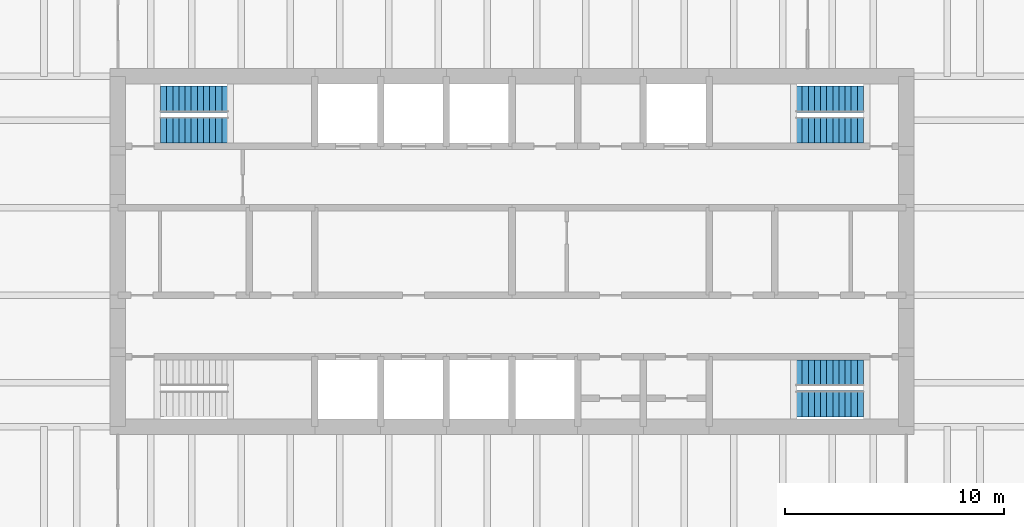
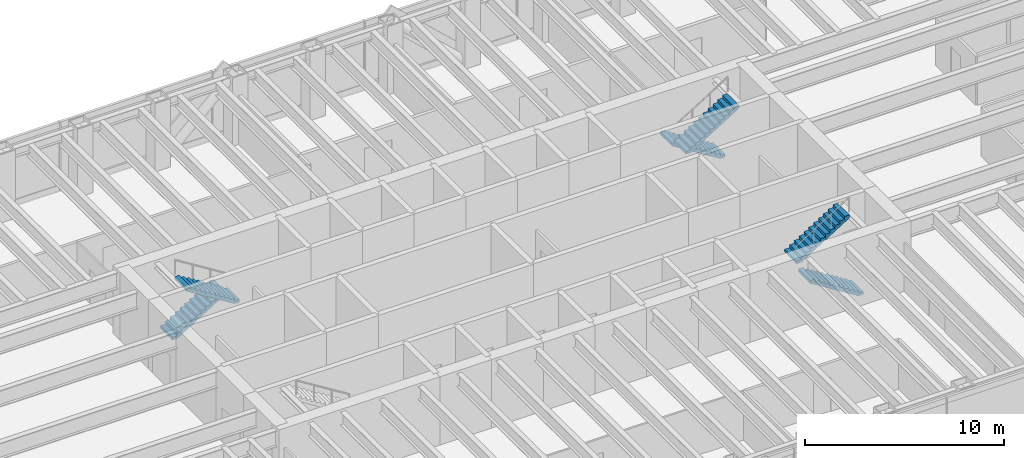
# One storey, part 14 of 15: 6 stair flights, 3 elements without a shape of their own.
"""IFC4 building model written with IfcOpenShell, lengths in metres."""

from ifc_helpers import new_model, si_unit, direction, frame, origin, place, context, subcontext, project, spatial, polyline, outline, extrude, material, type_object, element, aggregate, save


model = new_model("IFC4")

# Units and contexts
model_context = context("Model", 3, precision=1e-05, world=origin(), true_north=direction((0.0, 1.0)))
body_context = subcontext(model_context, "Body", "Model", "MODEL_VIEW")
ifc_project = project(units=[si_unit("LENGTHUNIT", "METRE"), si_unit("AREAUNIT", "SQUARE_METRE"), si_unit("VOLUMEUNIT", "CUBIC_METRE"), si_unit("PLANEANGLEUNIT", "RADIAN"), si_unit("MASSUNIT", "GRAM", prefix="KILO")], contexts=[model_context])

# Site, building, storey
site_placement = place(None, origin())
site = spatial("IfcSite", under=ifc_project, at=site_placement, CompositionType="ELEMENT")
building_placement = place(site_placement, origin())
building = spatial("IfcBuilding", under=site, at=building_placement, Name="Rheinbord Bourse Tower", CompositionType="ELEMENT")
storey_placement = place(building_placement, frame((0.0, 0.0, 296.300048828125)))
storey = spatial("IfcBuildingStorey", under=building, at=storey_placement, Name="L67", CompositionType="ELEMENT", Elevation=296.300048828125)

# Stair, stair flights
ifc_material_1 = material(Name="Concrete C30/37", Category="concrete")
stair_type = type_object("IfcStairType", Name="CORE STAIR HALF TURN 4200", PredefinedType="HALF_TURN_STAIR", material=ifc_material_1)
stair_1_placement = place(storey_placement, origin())
stair_1 = element("IfcStair", 1, at=stair_1_placement, inside=storey, type_object=stair_type, Name="Stair ST2 L67, type CS6", PredefinedType="HALF_TURN_STAIR")
ifc_material_2 = material(Name="Concrete C30/37", Category="concrete")
stair_flight_type = type_object("IfcStairFlightType", Name="CORE STAIR FLIGHT 1200, 12 RISERS", PredefinedType="STRAIGHT", material=ifc_material_2)
stair_flight_1_placement = place(storey_placement, frame((19.949951171875, 30.949951171875, 0.0), z_axis=(0.0, 0.0, 1.0), x_axis=(1.0, 0.0, 0.0)))
stair_flight_1 = element("IfcStairFlight", 2, at=stair_flight_1_placement, type_object=stair_flight_type, Name="STAIR L67 ST2 F1", NumberOfRisers=12, NumberOfTreads=11, PredefinedType="STRAIGHT", RiserHeight=0.175, TreadLength=0.28, context=body_context, shape_type="SweptSolid", body=[
    extrude(outline(polyline([(0.0, 0.0), (0.0, 0.175048828125), (0.280029296875, 0.175048828125), (0.280029296875, 0.35009765625), (0.56005859375, 0.35009765625), (0.56005859375, 0.52490234375), (0.840087890625, 0.52490234375), (0.840087890625, 0.699951171875), (1.1201171875, 0.699951171875), (1.1201171875, 0.875), (1.39990234375, 0.875), (1.39990234375, 1.050048828125), (1.679931640625, 1.050048828125), (1.679931640625, 1.22509765625), (1.9599609375, 1.22509765625), (1.9599609375, 1.39990234375), (2.239990234375, 1.39990234375), (2.239990234375, 1.574951171875), (2.52001953125, 1.574951171875), (2.52001953125, 1.75), (2.800048828125, 1.75), (2.800048828125, 1.925048828125), (3.080078125, 1.925048828125), (3.080078125, 2.10009765625), (3.080078125, 1.748291015625), (0.28271484375, 0.0), (0.0, 0.0)])), frame((0.0, 0.60009765625, 0.0), z_axis=(0.0, -1.0, 0.0), x_axis=(1.0, 0.0, 0.0)), (0.0, 0.0, 1.0), 1.199951171875),
])
stair_flight_2_placement = place(storey_placement, frame((23.030029296875, 29.550048828125, 2.099853515625), z_axis=(0.0, 0.0, 1.0), x_axis=(-1.0, 0.0, 0.0)))
stair_flight_2 = element("IfcStairFlight", 3, at=stair_flight_2_placement, type_object=stair_flight_type, Name="STAIR L67 ST2 F2", NumberOfRisers=12, NumberOfTreads=11, PredefinedType="STRAIGHT", RiserHeight=0.175, TreadLength=0.28, context=body_context, shape_type="SweptSolid", body=[
    extrude(outline(polyline([(0.0, 0.0), (0.0, 0.175048828125), (0.280029296875, 0.175048828125), (0.280029296875, 0.35009765625), (0.56005859375, 0.35009765625), (0.56005859375, 0.52490234375), (0.840087890625, 0.52490234375), (0.840087890625, 0.699951171875), (1.1201171875, 0.699951171875), (1.1201171875, 0.875), (1.39990234375, 0.875), (1.39990234375, 1.050048828125), (1.679931640625, 1.050048828125), (1.679931640625, 1.22509765625), (1.9599609375, 1.22509765625), (1.9599609375, 1.39990234375), (2.239990234375, 1.39990234375), (2.239990234375, 1.574951171875), (2.52001953125, 1.574951171875), (2.52001953125, 1.75), (2.800048828125, 1.75), (2.800048828125, 1.925048828125), (3.080078125, 1.925048828125), (3.080078125, 2.10009765625), (3.080078125, 1.748291015625), (0.28271484375, 0.0), (0.0, 0.0)])), frame((0.0, 0.60009765625, 0.0), z_axis=(0.0, -1.0, 0.0), x_axis=(1.0, 0.0, 0.0)), (0.0, 0.0, 1.0), 1.199951171875),
])
aggregate(stair_1, [stair_flight_1, stair_flight_2])

stair_2_placement = place(storey_placement, origin())
stair_2 = element("IfcStair", 4, at=stair_2_placement, inside=storey, type_object=stair_type, Name="Stair ST3 L67, type CS6", PredefinedType="HALF_TURN_STAIR")
stair_flight_3_placement = place(storey_placement, frame((52.050048828125, 17.050048828125, 0.0), z_axis=(0.0, 0.0, 1.0), x_axis=(-1.0, 0.0, 0.0)))
stair_flight_3 = element("IfcStairFlight", 5, at=stair_flight_3_placement, type_object=stair_flight_type, Name="STAIR L67 ST3 F1", NumberOfRisers=12, NumberOfTreads=11, PredefinedType="STRAIGHT", RiserHeight=0.175, TreadLength=0.28, context=body_context, shape_type="SweptSolid", body=[
    extrude(outline(polyline([(0.0, 0.0), (0.0, 0.175048828125), (0.280029296875, 0.175048828125), (0.280029296875, 0.35009765625), (0.56005859375, 0.35009765625), (0.56005859375, 0.52490234375), (0.840087890625, 0.52490234375), (0.840087890625, 0.699951171875), (1.1201171875, 0.699951171875), (1.1201171875, 0.875), (1.39990234375, 0.875), (1.39990234375, 1.050048828125), (1.679931640625, 1.050048828125), (1.679931640625, 1.22509765625), (1.9599609375, 1.22509765625), (1.9599609375, 1.39990234375), (2.239990234375, 1.39990234375), (2.239990234375, 1.574951171875), (2.52001953125, 1.574951171875), (2.52001953125, 1.75), (2.800048828125, 1.75), (2.800048828125, 1.925048828125), (3.080078125, 1.925048828125), (3.080078125, 2.10009765625), (3.080078125, 1.748291015625), (0.28271484375, 0.0), (0.0, 0.0)])), frame((0.0, 0.60009765625, 0.0), z_axis=(0.0, -1.0, 0.0), x_axis=(1.0, 0.0, 0.0)), (0.0, 0.0, 1.0), 1.199951171875),
])
stair_flight_4_placement = place(storey_placement, frame((48.969970703125, 18.449951171875, 2.099853515625), z_axis=(0.0, 0.0, 1.0), x_axis=(1.0, 0.0, 0.0)))
stair_flight_4 = element("IfcStairFlight", 6, at=stair_flight_4_placement, type_object=stair_flight_type, Name="STAIR L67 ST3 F2", NumberOfRisers=12, NumberOfTreads=11, PredefinedType="STRAIGHT", RiserHeight=0.175, TreadLength=0.28, context=body_context, shape_type="SweptSolid", body=[
    extrude(outline(polyline([(0.0, 0.0), (0.0, 0.175048828125), (0.280029296875, 0.175048828125), (0.280029296875, 0.35009765625), (0.56005859375, 0.35009765625), (0.56005859375, 0.52490234375), (0.840087890625, 0.52490234375), (0.840087890625, 0.699951171875), (1.1201171875, 0.699951171875), (1.1201171875, 0.875), (1.39990234375, 0.875), (1.39990234375, 1.050048828125), (1.679931640625, 1.050048828125), (1.679931640625, 1.22509765625), (1.9599609375, 1.22509765625), (1.9599609375, 1.39990234375), (2.239990234375, 1.39990234375), (2.239990234375, 1.574951171875), (2.52001953125, 1.574951171875), (2.52001953125, 1.75), (2.800048828125, 1.75), (2.800048828125, 1.925048828125), (3.080078125, 1.925048828125), (3.080078125, 2.10009765625), (3.080078125, 1.748291015625), (0.28271484375, 0.0), (0.0, 0.0)])), frame((0.0, 0.60009765625, 0.0), z_axis=(0.0, -1.0, 0.0), x_axis=(1.0, 0.0, 0.0)), (0.0, 0.0, 1.0), 1.199951171875),
])
aggregate(stair_2, [stair_flight_3, stair_flight_4])

stair_3_placement = place(storey_placement, origin())
stair_3 = element("IfcStair", 7, at=stair_3_placement, inside=storey, type_object=stair_type, Name="Stair ST4 L67, type CS6", PredefinedType="HALF_TURN_STAIR")
stair_flight_5_placement = place(storey_placement, frame((52.050048828125, 30.949951171875, 0.0), z_axis=(0.0, 0.0, 1.0), x_axis=(-1.0, 0.0, 0.0)))
stair_flight_5 = element("IfcStairFlight", 8, at=stair_flight_5_placement, type_object=stair_flight_type, Name="STAIR L67 ST4 F1", NumberOfRisers=12, NumberOfTreads=11, PredefinedType="STRAIGHT", RiserHeight=0.175, TreadLength=0.28, context=body_context, shape_type="SweptSolid", body=[
    extrude(outline(polyline([(0.0, 0.0), (0.0, 0.175048828125), (0.280029296875, 0.175048828125), (0.280029296875, 0.35009765625), (0.56005859375, 0.35009765625), (0.56005859375, 0.52490234375), (0.840087890625, 0.52490234375), (0.840087890625, 0.699951171875), (1.1201171875, 0.699951171875), (1.1201171875, 0.875), (1.39990234375, 0.875), (1.39990234375, 1.050048828125), (1.679931640625, 1.050048828125), (1.679931640625, 1.22509765625), (1.9599609375, 1.22509765625), (1.9599609375, 1.39990234375), (2.239990234375, 1.39990234375), (2.239990234375, 1.574951171875), (2.52001953125, 1.574951171875), (2.52001953125, 1.75), (2.800048828125, 1.75), (2.800048828125, 1.925048828125), (3.080078125, 1.925048828125), (3.080078125, 2.10009765625), (3.080078125, 1.748291015625), (0.28271484375, 0.0), (0.0, 0.0)])), frame((0.0, 0.60009765625, 0.0), z_axis=(0.0, -1.0, 0.0), x_axis=(1.0, 0.0, 0.0)), (0.0, 0.0, 1.0), 1.199951171875),
])
stair_flight_6_placement = place(storey_placement, frame((48.969970703125, 29.550048828125, 2.099853515625), z_axis=(0.0, 0.0, 1.0), x_axis=(1.0, 0.0, 0.0)))
stair_flight_6 = element("IfcStairFlight", 9, at=stair_flight_6_placement, type_object=stair_flight_type, Name="STAIR L67 ST4 F2", NumberOfRisers=12, NumberOfTreads=11, PredefinedType="STRAIGHT", RiserHeight=0.175, TreadLength=0.28, context=body_context, shape_type="SweptSolid", body=[
    extrude(outline(polyline([(0.0, 0.0), (0.0, 0.175048828125), (0.280029296875, 0.175048828125), (0.280029296875, 0.35009765625), (0.56005859375, 0.35009765625), (0.56005859375, 0.52490234375), (0.840087890625, 0.52490234375), (0.840087890625, 0.699951171875), (1.1201171875, 0.699951171875), (1.1201171875, 0.875), (1.39990234375, 0.875), (1.39990234375, 1.050048828125), (1.679931640625, 1.050048828125), (1.679931640625, 1.22509765625), (1.9599609375, 1.22509765625), (1.9599609375, 1.39990234375), (2.239990234375, 1.39990234375), (2.239990234375, 1.574951171875), (2.52001953125, 1.574951171875), (2.52001953125, 1.75), (2.800048828125, 1.75), (2.800048828125, 1.925048828125), (3.080078125, 1.925048828125), (3.080078125, 2.10009765625), (3.080078125, 1.748291015625), (0.28271484375, 0.0), (0.0, 0.0)])), frame((0.0, 0.60009765625, 0.0), z_axis=(0.0, -1.0, 0.0), x_axis=(1.0, 0.0, 0.0)), (0.0, 0.0, 1.0), 1.199951171875),
])
aggregate(stair_3, [stair_flight_5, stair_flight_6])

save(model, "model.ifc")
